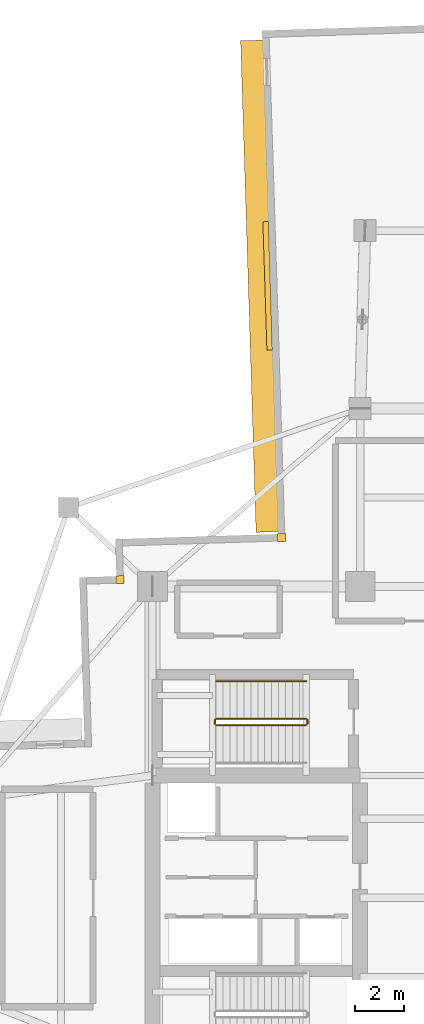
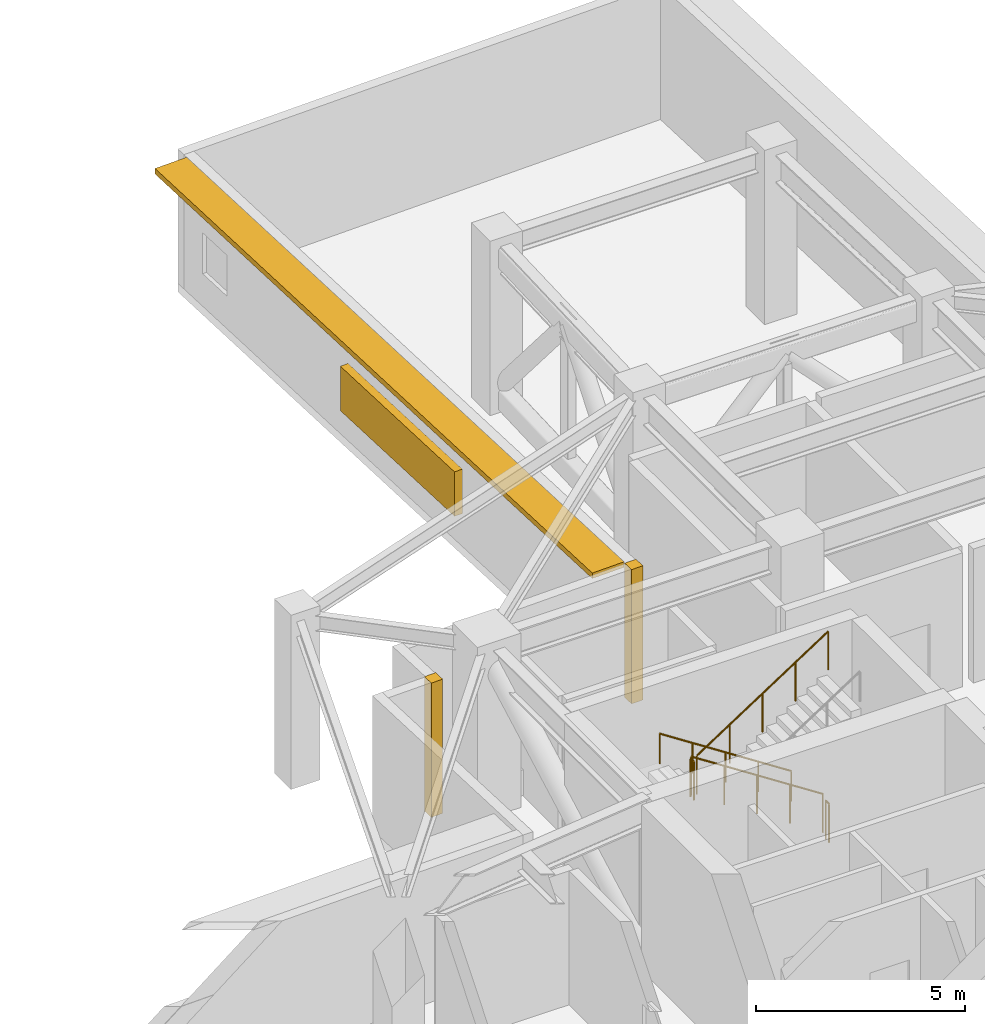
# One storey, part 16 of 17: 5 railings, 2 coverings, 2 shading devices.
"""IFC4 building model written with IfcOpenShell, lengths in metres."""

import ifcopenshell
import ifcopenshell.guid

model = None  # the IFC model being written
_history = None  # IfcOwnerHistory: only IFC2X3 demands one
_inside = {}  # id of a spatial element -> (the spatial element, [elements in it])
_under = {}  # id of a project, library or spatial element -> (it, [spatial elements below it])
_declared = {}  # id of a project -> (the project, [libraries it declares])
_typed = {}  # id of a type object -> (the type object, [elements of that type])
_made_of = {}  # id of a material, layer set ... -> (it, [elements and type objects made of it])


def new_model(schema):
    """Start an empty IFC model of exactly this schema.

    Asked for "IFC4X3", IfcOpenShell would pick the latest addendum, in which some entities
    have other attributes; the version numbers below select the first issue.
    IFC2X3 requires an IfcOwnerHistory on every rooted entity: one is made here for all.
    """
    global model, _history
    if schema == "IFC4X3":
        model = ifcopenshell.file(schema_version=(4, 3, 0, 0))
    else:
        model = ifcopenshell.file(schema=schema)
    _inside.clear()
    _under.clear()
    _declared.clear()
    _typed.clear()
    _made_of.clear()
    _history = None
    if model.schema == "IFC2X3":
        org = make("IfcOrganization", Name="unknown")
        user = make(
            "IfcPersonAndOrganization",
            ThePerson=make("IfcPerson", FamilyName="unknown"),
            TheOrganization=org,
        )
        app = make(
            "IfcApplication",
            ApplicationDeveloper=org,
            Version="unknown",
            ApplicationFullName="unknown",
            ApplicationIdentifier="unknown",
        )
        _history = make(
            "IfcOwnerHistory",
            OwningUser=user,
            OwningApplication=app,
            ChangeAction="ADDED",
            CreationDate=0,
        )
    return model


def make(cls, **values):
    """One entity of the class cls with the attributes given. An attribute that is None is left unset."""
    return model.create_entity(
        cls, **{name: value for name, value in values.items() if value is not None}
    )


def rooted(cls, **values):
    """An entity with a GlobalId (a new one), such as an element, a storey or a relation."""
    return make(cls, GlobalId=ifcopenshell.guid.new(), OwnerHistory=_history, **values)


def si_unit(unit_type, name, prefix=None):
    """IfcSIUnit, for example si_unit("LENGTHUNIT", "METRE", prefix="MILLI")."""
    return make("IfcSIUnit", UnitType=unit_type, Prefix=prefix, Name=name)


def assignment(units):
    """IfcUnitAssignment: the units of a project."""
    return None if units is None else make("IfcUnitAssignment", Units=units)


def point(xyz):
    """IfcCartesianPoint."""
    return None if xyz is None else make("IfcCartesianPoint", Coordinates=xyz)


def direction(xyz):
    """IfcDirection."""
    return None if xyz is None else make("IfcDirection", DirectionRatios=xyz)


def frame(location, z_axis=None, x_axis=None):
    """IfcAxis2Placement3D, a coordinate frame: its origin and axes. An axis left out is left unset."""
    return make(
        "IfcAxis2Placement3D",
        Location=point(location),
        Axis=direction(z_axis),
        RefDirection=direction(x_axis),
    )


def frame_2d(location, x_axis=None):
    """IfcAxis2Placement2D, a coordinate frame in the plane: its origin and x axis."""
    return make(
        "IfcAxis2Placement2D", Location=point(location), RefDirection=direction(x_axis)
    )


def origin():
    """The frame at (0, 0, 0) with its axes left unset."""
    return frame((0.0, 0.0, 0.0))


def origin_2d():
    """The frame at (0, 0) in the plane with its x axis left unset."""
    return frame_2d((0.0, 0.0))


def place(relative_to, where):
    """IfcLocalPlacement: puts the frame where relative to a parent placement (None: the world)."""
    return make(
        "IfcLocalPlacement", PlacementRelTo=relative_to, RelativePlacement=where
    )


def context(
    kind, dimensions, precision=None, world=None, true_north=None, identifier=None
):
    """IfcGeometricRepresentationContext, for example the 3D "Model" context."""
    return make(
        "IfcGeometricRepresentationContext",
        ContextIdentifier=identifier,
        ContextType=kind,
        CoordinateSpaceDimension=dimensions,
        Precision=precision,
        WorldCoordinateSystem=world,
        TrueNorth=true_north,
    )


def subcontext(parent, identifier, kind, view, scale=None):
    """IfcGeometricRepresentationSubContext, for example "Body" below "Model"."""
    return make(
        "IfcGeometricRepresentationSubContext",
        ContextIdentifier=identifier,
        ContextType=kind,
        ParentContext=parent,
        TargetScale=scale,
        TargetView=view,
    )


def project(units=None, contexts=None):
    """IfcProject with its units and contexts."""
    return rooted(
        "IfcProject",
        Name="project",
        RepresentationContexts=contexts,
        UnitsInContext=assignment(units),
    )


def spatial(cls, under=None, at=None, **own):
    """A site, building, storey or space (cls), placed at a placement, below another one or the project."""
    s = rooted(cls, ObjectPlacement=at, **own)
    if under is not None:
        _under.setdefault(under.id(), (under, []))[1].append(s)
    return s


def profile(cls, at=None, kind="AREA", **sizes):
    """A parametric profile (cls). Its sizes go by their IFC names, for example OverallWidth=200.0."""
    return make(cls, ProfileType=kind, Position=at, **sizes)


def rectangle(**sizes):
    """IfcRectangleProfileDef."""
    return profile("IfcRectangleProfileDef", **sizes)


def circle(**sizes):
    """IfcCircleProfileDef."""
    return profile("IfcCircleProfileDef", **sizes)


def extrude(swept, where, along, depth):
    """IfcExtrudedAreaSolid: the profile swept, set in the frame where, extruded along a direction by depth."""
    return make(
        "IfcExtrudedAreaSolid",
        SweptArea=swept,
        Position=where,
        ExtrudedDirection=direction(along),
        Depth=depth,
    )


def shape(context_of_items, identifier, shape_type, items):
    """IfcShapeRepresentation: the items that make up one representation, for example the "Body"."""
    return make(
        "IfcShapeRepresentation",
        ContextOfItems=context_of_items,
        RepresentationIdentifier=identifier,
        RepresentationType=shape_type,
        Items=items,
    )


def material(Name=None, Category=None):
    """IfcMaterial."""
    return make("IfcMaterial", Name=Name, Category=Category)


def layer(
    of_material, thickness, ventilated=None, Name=None, Category=None, Priority=None
):
    """IfcMaterialLayer: one layer of a wall or slab, of a material (None: an air gap)."""
    return make(
        "IfcMaterialLayer",
        Material=of_material,
        LayerThickness=thickness,
        IsVentilated=ventilated,
        Name=Name,
        Category=Category,
        Priority=Priority,
    )


def layer_set(layers, Name=None):
    """IfcMaterialLayerSet."""
    return make("IfcMaterialLayerSet", MaterialLayers=layers, LayerSetName=Name)


def made_of(thing, what):
    """Note that an element or type object is made of a material, layer set ...; save() writes the relation."""
    if what is not None:
        _made_of.setdefault(what.id(), (what, []))[1].append(thing)
    return thing


def type_object(cls, material=None, **own):
    """A type object (cls), such as IfcWallType, which elements share."""
    return made_of(rooted(cls, **own), material)


def element(
    cls,
    number,
    at=None,
    inside=None,
    cuts=None,
    type_object=None,
    material=None,
    context=None,
    identifier="Body",
    shape_type=None,
    held_by="IfcProductDefinitionShape",
    body=None,
    shapes=None,
    **own,
):
    """One element of the class cls, such as IfcWall. Its Tag is "e" and its number.

    at: its placement. inside: the storey or other place that contains it. cuts: it is an
    opening in that element (IfcRelVoidsElement). A single representation is given by context,
    identifier, shape_type and body (its items); several are given by shapes. held_by: the class
    of the entity that holds the representations. save() writes the other relations.
    """
    e = rooted(cls, Tag="e%d" % number, ObjectPlacement=at, **own)
    if body is not None:
        shapes = [shape(context, identifier, shape_type, body)]
    if shapes is not None:
        e.Representation = make(held_by, Representations=shapes)
    if inside is not None:
        _inside.setdefault(inside.id(), (inside, []))[1].append(e)
    if cuts is not None:
        rooted(
            "IfcRelVoidsElement", RelatingBuildingElement=cuts, RelatedOpeningElement=e
        )
    if type_object is not None:
        _typed.setdefault(type_object.id(), (type_object, []))[1].append(e)
    return made_of(e, material)


def aggregate(whole, parts):
    """IfcRelAggregates: a whole, such as a stair, and the parts it consists of."""
    return rooted("IfcRelAggregates", RelatingObject=whole, RelatedObjects=parts)


def save(model, path):
    """Write the relations noted so far, then the file.

    IfcRelAggregates (storeys below a building ...), IfcRelContainedInSpatialStructure (elements
    in a storey), IfcRelDefinesByType, IfcRelAssociatesMaterial and IfcRelDeclares: one each for
    every whole, place, type object, material and project.
    """
    for whole, parts in _under.values():
        aggregate(whole, parts)
    for where, things in _inside.values():
        rooted(
            "IfcRelContainedInSpatialStructure",
            RelatedElements=things,
            RelatingStructure=where,
        )
    for kind, things in _typed.values():
        rooted("IfcRelDefinesByType", RelatedObjects=things, RelatingType=kind)
    for what, things in _made_of.values():
        rooted("IfcRelAssociatesMaterial", RelatedObjects=things, RelatingMaterial=what)
    for by, libraries in _declared.values():
        rooted("IfcRelDeclares", RelatingContext=by, RelatedDefinitions=libraries)
    model.write(path)


model = new_model("IFC4")

# Units and contexts
model_context = context("Model", 3, precision=1e-05, world=origin(), true_north=direction((0.0, 1.0)))
body_context = subcontext(model_context, "Body", "Model", "MODEL_VIEW")
ifc_project = project(units=[si_unit("LENGTHUNIT", "METRE"), si_unit("AREAUNIT", "SQUARE_METRE"), si_unit("VOLUMEUNIT", "CUBIC_METRE"), si_unit("PLANEANGLEUNIT", "RADIAN"), si_unit("MASSUNIT", "GRAM", prefix="KILO")], contexts=[model_context])

# Site, building, storey
site_placement = place(None, origin())
site = spatial("IfcSite", under=ifc_project, at=site_placement, CompositionType="ELEMENT")
building_placement = place(site_placement, origin())
building = spatial("IfcBuilding", under=site, at=building_placement, Name="Qingluan Cross Belvedere", CompositionType="ELEMENT")
storey_placement = place(building_placement, frame((0.0, 0.0, 191.699951171875)))
storey = spatial("IfcBuildingStorey", under=building, at=storey_placement, Name="L48", CompositionType="ELEMENT", Elevation=191.699951171875)

# Coverings
ifc_material_1 = material(Name="Precast concrete C45", Category="concrete")
ifc_layer_1 = layer(ifc_material_1, 0.1201171875, Name="ConcreteSpandrelCladding_120")
ifc_layer_set_1 = layer_set([ifc_layer_1], Name="Precast concrete C45")
covering_type = type_object("IfcCoveringType", Name="ConcreteSpandrelCladding_120", PredefinedType="CLADDING", material=ifc_layer_set_1)
for number, where, z_axis, x_axis, name in (
    (1, (-13.711181640625, 12.875732421875, 0.0), (0.0, 0.0, 1.0), (0.999506560366, 0.031410759078, 0.0), "Corner closure L48-NW1"),
    (2, (-7.181640625, 14.58154296875, 0.0), (0.0, 0.0, 1.0), (0.999506560366, 0.031410759078, 0.0), "Corner closure L48-NW2"),
):
    element("IfcCovering", number, at=place(storey_placement, frame(where, z_axis=z_axis, x_axis=x_axis)), inside=storey, type_object=covering_type, Name=name, PredefinedType="CLADDING", context=body_context, shape_type="SweptSolid", body=[
        extrude(rectangle(XDim=0.320068359375, YDim=0.320068359375, at=origin_2d()), origin(), (0.0, 0.0, 1.0), 3.929931640625),
    ])

# Shading devices
ifc_material_2 = material(Name="Precast concrete C45", Category="concrete")
ifc_layer_2 = layer(ifc_material_2, 0.159912109375, Name="ConcreteSunshadeBand_900")
ifc_layer_set_2 = layer_set([ifc_layer_2], Name="Precast concrete C45")
shading_device_type_1 = type_object("IfcShadingDeviceType", Name="ConcreteSunshadeBand_900", PredefinedType="USERDEFINED", material=ifc_layer_set_2)
shading_device_1_placement = place(storey_placement, frame((-8.0712890625, 24.74853515625, 3.75), z_axis=(0.0, 0.0, 1.0), x_axis=(0.031407934627, -0.999506649124, 0.0)))
element("IfcShadingDevice", 3, at=shading_device_1_placement, inside=storey, type_object=shading_device_type_1, Name="Concrete SUNSHADE L48-NB", ObjectType="SUNSHADE", PredefinedType="USERDEFINED", context=body_context, shape_type="SweptSolid", body=[
    extrude(rectangle(XDim=19.89990234375, YDim=0.89990234375, at=origin_2d()), origin(), (0.0, 0.0, 1.0), 0.159912109375),
])
ifc_material_3 = material(Name="Anodised aluminium acoustic louvre screen", Category="aluminium")
ifc_layer_3 = layer(ifc_material_3, 0.219970703125, Name="RefugeAcousticLouvre_Screen")
ifc_layer_set_3 = layer_set([ifc_layer_3], Name="Anodised aluminium acoustic louvre screen")
shading_device_type_2 = type_object("IfcShadingDeviceType", Name="RefugeAcousticLouvre_Screen", PredefinedType="JALOUSIE", material=ifc_layer_set_3)
shading_device_2_placement = place(storey_placement, frame((-7.741455078125, 24.759033203125, 0.9501953125), z_axis=(0.0, 0.0, 1.0), x_axis=(0.031407934627, -0.999506649124, 0.0)))
element("IfcShadingDevice", 4, at=shading_device_2_placement, inside=storey, type_object=shading_device_type_2, Name="Plant acoustic louvre SCREEN L48-NB", PredefinedType="JALOUSIE", context=body_context, shape_type="SweptSolid", body=[
    extrude(rectangle(XDim=5.199951171875, YDim=0.219970703125, at=origin_2d()), origin(), (0.0, 0.0, 1.0), 1.300048828125),
])

# Railings
ifc_material_4 = material(Name="Brushed stainless steel tubular handrail", Category="steel")
railing_type_1 = type_object("IfcRailingType", Name="StairPitchHandrail_900", PredefinedType="HANDRAIL", material=ifc_material_4)
railing_1_placement = place(storey_placement, frame((-6.179931640625, 8.77001953125, 0.18212890625)))
element("IfcRailing", 5, at=railing_1_placement, inside=storey, type_object=railing_type_1, Name="L48 ST3 stair handrail 1", PredefinedType="HANDRAIL", context=body_context, shape_type="SweptSolid", body=[
    extrude(circle(Radius=0.02392578125, at=origin_2d()), frame((0.0, 0.0, 0.8759765625), z_axis=(-0.83825089185, 0.0, 0.545284735081), x_axis=(0.0, -1.0, 0.0)), (0.0, 0.0, 1.0), 4.342529296875),
    extrude(circle(Radius=0.02099609375, at=origin_2d()), origin(), (0.0, 0.0, 1.0), 0.851806640625),
    extrude(circle(Radius=0.02099609375, at=origin_2d()), frame((-0.91015625, 0.0, 0.592041015625)), (0.0, 0.0, 1.0), 0.851806640625),
    extrude(circle(Radius=0.02099609375, at=origin_2d()), frame((-1.820068359375, 0.0, 1.18408203125)), (0.0, 0.0, 1.0), 0.851806640625),
    extrude(circle(Radius=0.02099609375, at=origin_2d()), frame((-2.72998046875, 0.0, 1.77587890625)), (0.0, 0.0, 1.0), 0.851806640625),
    extrude(circle(Radius=0.02099609375, at=origin_2d()), frame((-3.64013671875, 0.0, 2.367919921875)), (0.0, 0.0, 1.0), 0.851806640625),
])
ifc_material_5 = material(Name="Painted steel stair well guard", Category="steel")
railing_type_2 = type_object("IfcRailingType", Name="StairWellGuard_1150", PredefinedType="BALUSTRADE", material=ifc_material_5)
railing_2_placement = place(storey_placement, frame((-6.179931640625, 7.25, 0.18212890625)))
element("IfcRailing", 6, at=railing_2_placement, inside=storey, type_object=railing_type_2, Name="L48 ST3 stair guard 1", PredefinedType="BALUSTRADE", context=body_context, shape_type="SweptSolid", body=[
    extrude(circle(Radius=0.02392578125, at=origin_2d()), frame((0.0, 0.0, 1.1259765625), z_axis=(-0.83825089185, 0.0, 0.545284735081), x_axis=(0.0, -1.0, 0.0)), (0.0, 0.0, 1.0), 4.342529296875),
    extrude(circle(Radius=0.02099609375, at=origin_2d()), origin(), (0.0, 0.0, 1.0), 1.101806640625),
    extrude(circle(Radius=0.02099609375, at=origin_2d()), frame((-0.91015625, 0.0, 0.592041015625)), (0.0, 0.0, 1.0), 1.101806640625),
    extrude(circle(Radius=0.02099609375, at=origin_2d()), frame((-1.820068359375, 0.0, 1.18408203125)), (0.0, 0.0, 1.0), 1.101806640625),
    extrude(circle(Radius=0.02099609375, at=origin_2d()), frame((-2.72998046875, 0.0, 1.77587890625)), (0.0, 0.0, 1.0), 1.101806640625),
    extrude(circle(Radius=0.02099609375, at=origin_2d()), frame((-3.64013671875, 0.0, 2.367919921875)), (0.0, 0.0, 1.0), 1.101806640625),
])
railing_3_placement = place(storey_placement, frame((-9.8701171875, 7.199951171875, 2.550048828125)))
element("IfcRailing", 7, at=railing_3_placement, inside=storey, type_object=railing_type_2, Name="L48 ST3 stair guard 2", PredefinedType="BALUSTRADE", context=body_context, shape_type="SweptSolid", body=[
    extrude(circle(Radius=0.02392578125, at=origin_2d()), frame((0.0, 0.0, 1.1259765625), z_axis=(0.0, -1.0, 0.0), x_axis=(1.0, 0.0, 0.0)), (0.0, 0.0, 1.0), 0.159912109375),
    extrude(circle(Radius=0.02099609375, at=origin_2d()), origin(), (0.0, 0.0, 1.0), 1.101806640625),
    extrude(circle(Radius=0.02099609375, at=origin_2d()), frame((0.0, -0.159912109375, 0.0)), (0.0, 0.0, 1.0), 1.101806640625),
])
railing_4_placement = place(storey_placement, frame((-9.820068359375, 6.989990234375, 2.732177734375)))
element("IfcRailing", 8, at=railing_4_placement, inside=storey, type_object=railing_type_2, Name="L48 ST3 stair guard 3", PredefinedType="BALUSTRADE", context=body_context, shape_type="SweptSolid", body=[
    extrude(circle(Radius=0.02392578125, at=origin_2d()), frame((0.0, 0.0, 1.1259765625), z_axis=(0.83825089185, 0.0, 0.545284735081), x_axis=(0.0, 1.0, 0.0)), (0.0, 0.0, 1.0), 4.342529296875),
    extrude(circle(Radius=0.02099609375, at=origin_2d()), origin(), (0.0, 0.0, 1.0), 1.101806640625),
    extrude(circle(Radius=0.02099609375, at=origin_2d()), frame((0.91015625, 0.0, 0.592041015625)), (0.0, 0.0, 1.0), 1.101806640625),
    extrude(circle(Radius=0.02099609375, at=origin_2d()), frame((1.820068359375, 0.0, 1.18408203125)), (0.0, 0.0, 1.0), 1.101806640625),
    extrude(circle(Radius=0.02099609375, at=origin_2d()), frame((2.72998046875, 0.0, 1.77587890625)), (0.0, 0.0, 1.0), 1.101806640625),
    extrude(circle(Radius=0.02099609375, at=origin_2d()), frame((3.64013671875, 0.0, 2.367919921875)), (0.0, 0.0, 1.0), 1.101806640625),
])
railing_5_placement = place(storey_placement, frame((-6.1298828125, 7.199951171875, 0.0)))
element("IfcRailing", 9, at=railing_5_placement, inside=storey, type_object=railing_type_2, Name="L48 ST3 stair guard 4", PredefinedType="BALUSTRADE", context=body_context, shape_type="SweptSolid", body=[
    extrude(circle(Radius=0.02392578125, at=origin_2d()), frame((0.0, 0.0, 1.1259765625), z_axis=(0.0, -1.0, 0.0), x_axis=(1.0, 0.0, 0.0)), (0.0, 0.0, 1.0), 0.159912109375),
    extrude(circle(Radius=0.02099609375, at=origin_2d()), origin(), (0.0, 0.0, 1.0), 1.101806640625),
    extrude(circle(Radius=0.02099609375, at=origin_2d()), frame((0.0, -0.159912109375, 0.0)), (0.0, 0.0, 1.0), 1.101806640625),
])

save(model, "model.ifc")
